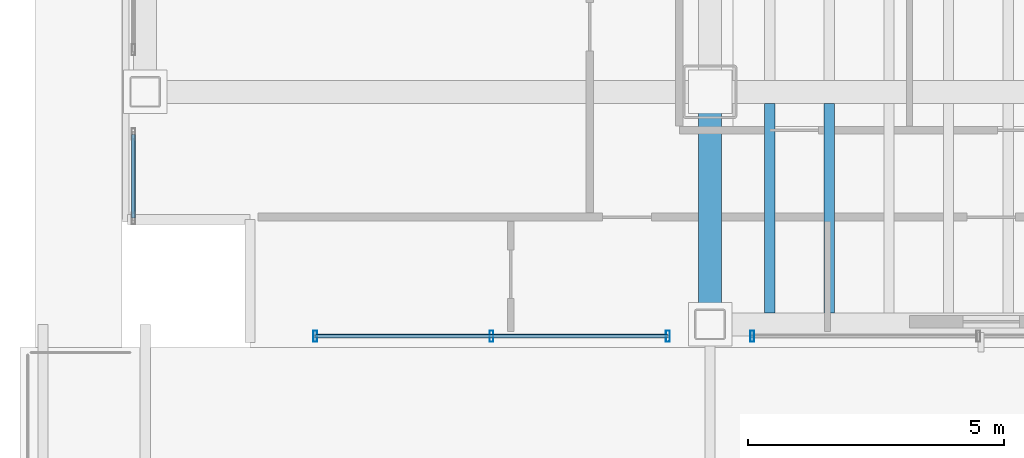
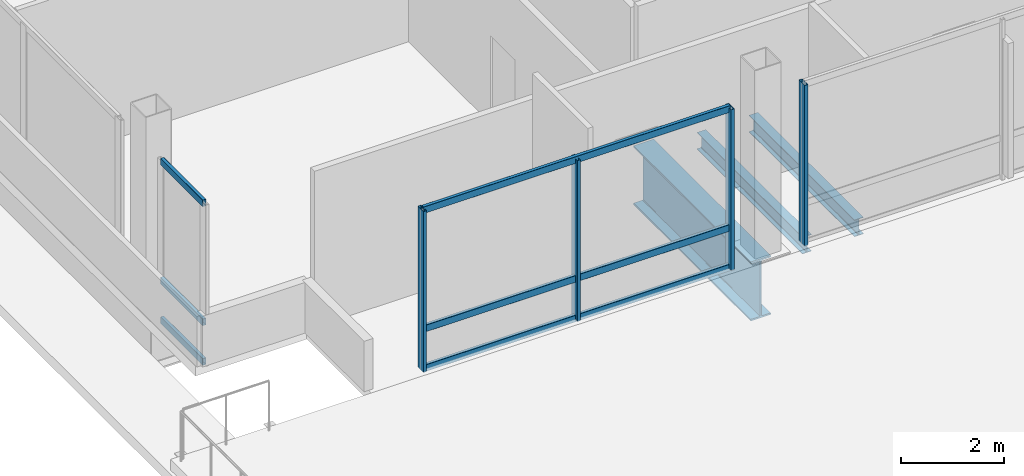
# One storey, part 5 of 34: 10 members, 3 beams, 3 elements without a shape of their own.
"""IFC4 building model written with IfcOpenShell, lengths in metres."""

import ifcopenshell
import ifcopenshell.guid

model = None  # the IFC model being written
_history = None  # IfcOwnerHistory: only IFC2X3 demands one
_inside = {}  # id of a spatial element -> (the spatial element, [elements in it])
_under = {}  # id of a project, library or spatial element -> (it, [spatial elements below it])
_declared = {}  # id of a project -> (the project, [libraries it declares])
_typed = {}  # id of a type object -> (the type object, [elements of that type])
_made_of = {}  # id of a material, layer set ... -> (it, [elements and type objects made of it])


def new_model(schema):
    """Start an empty IFC model of exactly this schema.

    Asked for "IFC4X3", IfcOpenShell would pick the latest addendum, in which some entities
    have other attributes; the version numbers below select the first issue.
    IFC2X3 requires an IfcOwnerHistory on every rooted entity: one is made here for all.
    """
    global model, _history
    if schema == "IFC4X3":
        model = ifcopenshell.file(schema_version=(4, 3, 0, 0))
    else:
        model = ifcopenshell.file(schema=schema)
    _inside.clear()
    _under.clear()
    _declared.clear()
    _typed.clear()
    _made_of.clear()
    _history = None
    if model.schema == "IFC2X3":
        org = make("IfcOrganization", Name="unknown")
        user = make(
            "IfcPersonAndOrganization",
            ThePerson=make("IfcPerson", FamilyName="unknown"),
            TheOrganization=org,
        )
        app = make(
            "IfcApplication",
            ApplicationDeveloper=org,
            Version="unknown",
            ApplicationFullName="unknown",
            ApplicationIdentifier="unknown",
        )
        _history = make(
            "IfcOwnerHistory",
            OwningUser=user,
            OwningApplication=app,
            ChangeAction="ADDED",
            CreationDate=0,
        )
    return model


def make(cls, **values):
    """One entity of the class cls with the attributes given. An attribute that is None is left unset."""
    return model.create_entity(
        cls, **{name: value for name, value in values.items() if value is not None}
    )


def rooted(cls, **values):
    """An entity with a GlobalId (a new one), such as an element, a storey or a relation."""
    return make(cls, GlobalId=ifcopenshell.guid.new(), OwnerHistory=_history, **values)


def si_unit(unit_type, name, prefix=None):
    """IfcSIUnit, for example si_unit("LENGTHUNIT", "METRE", prefix="MILLI")."""
    return make("IfcSIUnit", UnitType=unit_type, Prefix=prefix, Name=name)


def assignment(units):
    """IfcUnitAssignment: the units of a project."""
    return None if units is None else make("IfcUnitAssignment", Units=units)


def point(xyz):
    """IfcCartesianPoint."""
    return None if xyz is None else make("IfcCartesianPoint", Coordinates=xyz)


def direction(xyz):
    """IfcDirection."""
    return None if xyz is None else make("IfcDirection", DirectionRatios=xyz)


def frame(location, z_axis=None, x_axis=None):
    """IfcAxis2Placement3D, a coordinate frame: its origin and axes. An axis left out is left unset."""
    return make(
        "IfcAxis2Placement3D",
        Location=point(location),
        Axis=direction(z_axis),
        RefDirection=direction(x_axis),
    )


def frame_2d(location, x_axis=None):
    """IfcAxis2Placement2D, a coordinate frame in the plane: its origin and x axis."""
    return make(
        "IfcAxis2Placement2D", Location=point(location), RefDirection=direction(x_axis)
    )


def origin():
    """The frame at (0, 0, 0) with its axes left unset."""
    return frame((0.0, 0.0, 0.0))


def origin_2d():
    """The frame at (0, 0) in the plane with its x axis left unset."""
    return frame_2d((0.0, 0.0))


def place(relative_to, where):
    """IfcLocalPlacement: puts the frame where relative to a parent placement (None: the world)."""
    return make(
        "IfcLocalPlacement", PlacementRelTo=relative_to, RelativePlacement=where
    )


def context(
    kind, dimensions, precision=None, world=None, true_north=None, identifier=None
):
    """IfcGeometricRepresentationContext, for example the 3D "Model" context."""
    return make(
        "IfcGeometricRepresentationContext",
        ContextIdentifier=identifier,
        ContextType=kind,
        CoordinateSpaceDimension=dimensions,
        Precision=precision,
        WorldCoordinateSystem=world,
        TrueNorth=true_north,
    )


def subcontext(parent, identifier, kind, view, scale=None):
    """IfcGeometricRepresentationSubContext, for example "Body" below "Model"."""
    return make(
        "IfcGeometricRepresentationSubContext",
        ContextIdentifier=identifier,
        ContextType=kind,
        ParentContext=parent,
        TargetScale=scale,
        TargetView=view,
    )


def project(units=None, contexts=None):
    """IfcProject with its units and contexts."""
    return rooted(
        "IfcProject",
        Name="project",
        RepresentationContexts=contexts,
        UnitsInContext=assignment(units),
    )


def spatial(cls, under=None, at=None, **own):
    """A site, building, storey or space (cls), placed at a placement, below another one or the project."""
    s = rooted(cls, ObjectPlacement=at, **own)
    if under is not None:
        _under.setdefault(under.id(), (under, []))[1].append(s)
    return s


def profile(cls, at=None, kind="AREA", **sizes):
    """A parametric profile (cls). Its sizes go by their IFC names, for example OverallWidth=200.0."""
    return make(cls, ProfileType=kind, Position=at, **sizes)


def hollow_rectangle(**sizes):
    """IfcRectangleHollowProfileDef."""
    return profile("IfcRectangleHollowProfileDef", **sizes)


def i_section(**sizes):
    """IfcIShapeProfileDef."""
    return profile("IfcIShapeProfileDef", **sizes)


def extrude(swept, where, along, depth):
    """IfcExtrudedAreaSolid: the profile swept, set in the frame where, extruded along a direction by depth."""
    return make(
        "IfcExtrudedAreaSolid",
        SweptArea=swept,
        Position=where,
        ExtrudedDirection=direction(along),
        Depth=depth,
    )


def shape(context_of_items, identifier, shape_type, items):
    """IfcShapeRepresentation: the items that make up one representation, for example the "Body"."""
    return make(
        "IfcShapeRepresentation",
        ContextOfItems=context_of_items,
        RepresentationIdentifier=identifier,
        RepresentationType=shape_type,
        Items=items,
    )


def material(Name=None, Category=None):
    """IfcMaterial."""
    return make("IfcMaterial", Name=Name, Category=Category)


def material_profile(
    of_material, cross_section, Name=None, Category=None, Priority=None
):
    """IfcMaterialProfile: a cross section and its material."""
    return make(
        "IfcMaterialProfile",
        Name=Name,
        Material=of_material,
        Profile=cross_section,
        Priority=Priority,
        Category=Category,
    )


def profile_set(profiles, Name=None, composite=None):
    """IfcMaterialProfileSet."""
    return make(
        "IfcMaterialProfileSet",
        Name=Name,
        MaterialProfiles=profiles,
        CompositeProfile=composite,
    )


def made_of(thing, what):
    """Note that an element or type object is made of a material, layer set ...; save() writes the relation."""
    if what is not None:
        _made_of.setdefault(what.id(), (what, []))[1].append(thing)
    return thing


def type_object(cls, material=None, **own):
    """A type object (cls), such as IfcWallType, which elements share."""
    return made_of(rooted(cls, **own), material)


def element(
    cls,
    number,
    at=None,
    inside=None,
    cuts=None,
    type_object=None,
    material=None,
    context=None,
    identifier="Body",
    shape_type=None,
    held_by="IfcProductDefinitionShape",
    body=None,
    shapes=None,
    **own,
):
    """One element of the class cls, such as IfcWall. Its Tag is "e" and its number.

    at: its placement. inside: the storey or other place that contains it. cuts: it is an
    opening in that element (IfcRelVoidsElement). A single representation is given by context,
    identifier, shape_type and body (its items); several are given by shapes. held_by: the class
    of the entity that holds the representations. save() writes the other relations.
    """
    e = rooted(cls, Tag="e%d" % number, ObjectPlacement=at, **own)
    if body is not None:
        shapes = [shape(context, identifier, shape_type, body)]
    if shapes is not None:
        e.Representation = make(held_by, Representations=shapes)
    if inside is not None:
        _inside.setdefault(inside.id(), (inside, []))[1].append(e)
    if cuts is not None:
        rooted(
            "IfcRelVoidsElement", RelatingBuildingElement=cuts, RelatedOpeningElement=e
        )
    if type_object is not None:
        _typed.setdefault(type_object.id(), (type_object, []))[1].append(e)
    return made_of(e, material)


def aggregate(whole, parts):
    """IfcRelAggregates: a whole, such as a stair, and the parts it consists of."""
    return rooted("IfcRelAggregates", RelatingObject=whole, RelatedObjects=parts)


def save(model, path):
    """Write the relations noted so far, then the file.

    IfcRelAggregates (storeys below a building ...), IfcRelContainedInSpatialStructure (elements
    in a storey), IfcRelDefinesByType, IfcRelAssociatesMaterial and IfcRelDeclares: one each for
    every whole, place, type object, material and project.
    """
    for whole, parts in _under.values():
        aggregate(whole, parts)
    for where, things in _inside.values():
        rooted(
            "IfcRelContainedInSpatialStructure",
            RelatedElements=things,
            RelatingStructure=where,
        )
    for kind, things in _typed.values():
        rooted("IfcRelDefinesByType", RelatedObjects=things, RelatingType=kind)
    for what, things in _made_of.values():
        rooted("IfcRelAssociatesMaterial", RelatedObjects=things, RelatingMaterial=what)
    for by, libraries in _declared.values():
        rooted("IfcRelDeclares", RelatingContext=by, RelatedDefinitions=libraries)
    model.write(path)


model = new_model("IFC4")

# Units and contexts
model_context = context("Model", 3, precision=1e-05, world=origin(), true_north=direction((0.0, 1.0)))
body_context = subcontext(model_context, "Body", "Model", "MODEL_VIEW")
ifc_project = project(units=[si_unit("LENGTHUNIT", "METRE"), si_unit("AREAUNIT", "SQUARE_METRE"), si_unit("VOLUMEUNIT", "CUBIC_METRE"), si_unit("PLANEANGLEUNIT", "RADIAN"), si_unit("MASSUNIT", "GRAM", prefix="KILO")], contexts=[model_context])

# Site, building, storey
site_placement = place(None, origin())
site = spatial("IfcSite", under=ifc_project, at=site_placement, CompositionType="ELEMENT")
building_placement = place(site_placement, origin())
building = spatial("IfcBuilding", under=site, at=building_placement, Name="Noeulbin Bourse Tower", CompositionType="ELEMENT")
storey_placement = place(building_placement, frame((0.0, 0.0, 22.0)))
storey = spatial("IfcBuildingStorey", under=building, at=storey_placement, Name="L05", CompositionType="ELEMENT", Elevation=22.0)

# Beams
ifc_material_1 = material(Name="Steel S355", Category="steel")
ifc_material_profile_1 = material_profile(ifc_material_1, i_section(OverallWidth=0.199951171875, OverallDepth=0.39990234375, WebThickness=0.008056640625, FlangeThickness=0.012939453125, FilletRadius=0.01611328125, at=origin_2d()), Name="H-400x200x8x13", Category="LoadBearing")
ifc_profile_set_1 = profile_set([ifc_material_profile_1], Name="Steel S355")
beam_type_1 = type_object("IfcBeamType", Name="BM-SEC-400", PredefinedType="BEAM", material=ifc_profile_set_1)
for number, where, z_axis, x_axis, name in (
    (1, (14.666748046875, 15.675048828125, -0.43994140625), (0.0, 1.0, 0.0), (-1.0, 0.0, 0.0), "Tower Composite Joist L05-01"),
    (2, (15.833251953125, 15.675048828125, -0.43994140625), (0.0, 1.0, 0.0), (-1.0, 0.0, 0.0), "Tower Composite Joist L05-04"),
):
    element("IfcBeam", number, at=place(storey_placement, frame(where, z_axis=z_axis, x_axis=x_axis)), inside=storey, type_object=beam_type_1, Name=name, PredefinedType="BEAM", context=body_context, shape_type="SweptSolid", body=[
        extrude(i_section(OverallWidth=0.199951171875, OverallDepth=0.39990234375, WebThickness=0.008056640625, FlangeThickness=0.012939453125, FilletRadius=0.01611328125, at=origin_2d()), origin(), (0.0, 0.0, 1.0), 4.099853515625),
    ])
ifc_material_2 = material(Name="Steel S460", Category="steel")
ifc_material_profile_2 = material_profile(ifc_material_2, i_section(OverallWidth=0.449951171875, OverallDepth=1.39990234375, WebThickness=0.02392578125, FlangeThickness=0.0400390625, FilletRadius=0.02392578125, at=origin_2d()), Name="PG-1400x450x24x40", Category="LoadBearing")
ifc_profile_set_2 = profile_set([ifc_material_profile_2], Name="Steel S460")
beam_type_2 = type_object("IfcBeamType", Name="BM-TRF-1400", PredefinedType="USERDEFINED", material=ifc_profile_set_2)
beam_placement = place(storey_placement, frame((13.5, 15.449951171875, -0.93994140625), z_axis=(0.0, 1.0, 0.0), x_axis=(-1.0, 0.0, 0.0)))
element("IfcBeam", 3, at=beam_placement, inside=storey, type_object=beam_type_2, Name="Tower Primary Girder NS L05-1.1", ObjectType="GIRDER", PredefinedType="USERDEFINED", context=body_context, shape_type="SweptSolid", body=[
    extrude(i_section(OverallWidth=0.449951171875, OverallDepth=1.39990234375, WebThickness=0.02392578125, FlangeThickness=0.0400390625, FilletRadius=0.02392578125, at=origin_2d()), origin(), (0.0, 0.0, 1.0), 4.550048828125),
])

# Curtain wall, members
ifc_material_3 = material(Name="Dark Solar-Control Double Glazing", Category="glass")
curtain_wall_type = type_object("IfcCurtainWallType", Name="CW-SYS-2", PredefinedType="NOTDEFINED", material=ifc_material_3)
curtain_wall_1_placement = place(storey_placement, origin())
curtain_wall_1 = element("IfcCurtainWall", 4, at=curtain_wall_1_placement, inside=storey, type_object=curtain_wall_type, Name="Unitised Curtain Wall CW-L05-S1-S1", PredefinedType="NOTDEFINED")
ifc_material_4 = material(Name="Anodised Aluminium 6063-T6", Category="aluminium")
ifc_material_profile_3 = material_profile(ifc_material_4, hollow_rectangle(XDim=0.074951171875, YDim=0.219970703125, WallThickness=0.0048828125, InnerFilletRadius=0.00244140625, OuterFilletRadius=0.0048828125, at=origin_2d()), Name="ALU-MULL-75x220x5", Category="LoadBearing")
ifc_profile_set_3 = profile_set([ifc_material_profile_3], Name="Anodised Aluminium 6063-T6")
member_type_1 = type_object("IfcMemberType", Name="CW-SYS-2-MUL", PredefinedType="MULLION", material=ifc_profile_set_3)
member_1_placement = place(storey_placement, frame((5.77490234375, 15.219970703125, -0.02001953125), z_axis=(0.0, 0.0, 1.0), x_axis=(1.0, 0.0, 0.0)))
member_1 = element("IfcMember", 5, at=member_1_placement, type_object=member_type_1, Name="Curtain Wall Mullion CW-L05-S1-S1-M00", PredefinedType="MULLION", context=body_context, shape_type="SweptSolid", body=[
    extrude(hollow_rectangle(XDim=0.074951171875, YDim=0.219970703125, WallThickness=0.0048828125, InnerFilletRadius=0.00244140625, OuterFilletRadius=0.0048828125, at=origin_2d()), origin(), (0.0, 0.0, 1.0), 3.820068359375),
])
member_2_placement = place(storey_placement, frame((9.22509765625, 15.219970703125, -0.02001953125), z_axis=(0.0, 0.0, 1.0), x_axis=(1.0, 0.0, 0.0)))
member_2 = element("IfcMember", 6, at=member_2_placement, type_object=member_type_1, Name="Curtain Wall Mullion CW-L05-S1-S1-M01", PredefinedType="MULLION", context=body_context, shape_type="SweptSolid", body=[
    extrude(hollow_rectangle(XDim=0.074951171875, YDim=0.219970703125, WallThickness=0.0048828125, InnerFilletRadius=0.00244140625, OuterFilletRadius=0.0048828125, at=origin_2d()), origin(), (0.0, 0.0, 1.0), 3.820068359375),
])
member_3_placement = place(storey_placement, frame((12.675048828125, 15.219970703125, -0.02001953125), z_axis=(0.0, 0.0, 1.0), x_axis=(1.0, 0.0, 0.0)))
member_3 = element("IfcMember", 7, at=member_3_placement, type_object=member_type_1, Name="Curtain Wall Mullion CW-L05-S1-S1-M02", PredefinedType="MULLION", context=body_context, shape_type="SweptSolid", body=[
    extrude(hollow_rectangle(XDim=0.074951171875, YDim=0.219970703125, WallThickness=0.0048828125, InnerFilletRadius=0.00244140625, OuterFilletRadius=0.0048828125, at=origin_2d()), origin(), (0.0, 0.0, 1.0), 3.820068359375),
])

# Curtain wall, member
curtain_wall_2_placement = place(storey_placement, origin())
curtain_wall_2 = element("IfcCurtainWall", 8, at=curtain_wall_2_placement, inside=storey, type_object=curtain_wall_type, Name="Unitised Curtain Wall CW-L05-S1-S2", PredefinedType="NOTDEFINED")
member_4_placement = place(storey_placement, frame((14.324951171875, 15.219970703125, -0.02001953125), z_axis=(0.0, 0.0, 1.0), x_axis=(1.0, 0.0, 0.0)))
member_4 = element("IfcMember", 9, at=member_4_placement, type_object=member_type_1, Name="Curtain Wall Mullion CW-L05-S1-S2-M00", PredefinedType="MULLION", context=body_context, shape_type="SweptSolid", body=[
    extrude(hollow_rectangle(XDim=0.074951171875, YDim=0.219970703125, WallThickness=0.0048828125, InnerFilletRadius=0.00244140625, OuterFilletRadius=0.0048828125, at=origin_2d()), origin(), (0.0, 0.0, 1.0), 3.820068359375),
])
aggregate(curtain_wall_2, [member_4])

# Member
ifc_material_profile_4 = material_profile(ifc_material_4, hollow_rectangle(XDim=0.074951171875, YDim=0.159912109375, WallThickness=0.0048828125, InnerFilletRadius=0.00244140625, OuterFilletRadius=0.0048828125, at=origin_2d()), Name="ALU-TRAN-75x160x5", Category="LoadBearing")
ifc_profile_set_4 = profile_set([ifc_material_profile_4], Name="Anodised Aluminium 6063-T6")
member_type_2 = type_object("IfcMemberType", Name="CW-SYS-2-TRN", PredefinedType="USERDEFINED", material=ifc_profile_set_4)
member_5_placement = place(storey_placement, frame((5.784912109375, 15.219970703125, 0.010009765625), z_axis=(1.0, 0.0, 0.0), x_axis=(0.0, 1.0, 0.0)))
member_5 = element("IfcMember", 10, at=member_5_placement, type_object=member_type_2, Name="Curtain Wall Transom CW-L05-S1-S1-T00", ObjectType="TRANSOM", PredefinedType="USERDEFINED", context=body_context, shape_type="SweptSolid", body=[
    extrude(hollow_rectangle(XDim=0.074951171875, YDim=0.159912109375, WallThickness=0.0048828125, InnerFilletRadius=0.00244140625, OuterFilletRadius=0.0048828125, at=origin_2d()), origin(), (0.0, 0.0, 1.0), 6.880126953125),
])

member_6_placement = place(storey_placement, frame((5.784912109375, 15.219970703125, 0.949951171875), z_axis=(1.0, 0.0, 0.0), x_axis=(0.0, 1.0, 0.0)))
member_6 = element("IfcMember", 11, at=member_6_placement, type_object=member_type_2, Name="Curtain Wall Transom CW-L05-S1-S1-T01", ObjectType="TRANSOM", PredefinedType="USERDEFINED", context=body_context, shape_type="SweptSolid", body=[
    extrude(hollow_rectangle(XDim=0.074951171875, YDim=0.159912109375, WallThickness=0.0048828125, InnerFilletRadius=0.00244140625, OuterFilletRadius=0.0048828125, at=origin_2d()), origin(), (0.0, 0.0, 1.0), 6.880126953125),
])

member_7_placement = place(storey_placement, frame((5.784912109375, 15.219970703125, 3.77001953125), z_axis=(1.0, 0.0, 0.0), x_axis=(0.0, 1.0, 0.0)))
member_7 = element("IfcMember", 12, at=member_7_placement, type_object=member_type_2, Name="Curtain Wall Transom CW-L05-S1-S1-T02", ObjectType="TRANSOM", PredefinedType="USERDEFINED", context=body_context, shape_type="SweptSolid", body=[
    extrude(hollow_rectangle(XDim=0.074951171875, YDim=0.159912109375, WallThickness=0.0048828125, InnerFilletRadius=0.00244140625, OuterFilletRadius=0.0048828125, at=origin_2d()), origin(), (0.0, 0.0, 1.0), 6.880126953125),
])

aggregate(curtain_wall_1, [member_1, member_2, member_3, member_5, member_6, member_7])

# Curtain wall, members
curtain_wall_3_placement = place(storey_placement, origin())
curtain_wall_3 = element("IfcCurtainWall", 13, at=curtain_wall_3_placement, inside=storey, type_object=curtain_wall_type, Name="Unitised Curtain Wall CW-L05-W-S1", PredefinedType="NOTDEFINED")
member_8_placement = place(storey_placement, frame((2.219970703125, 17.530029296875, 0.010009765625), z_axis=(0.0, 1.0, 0.0), x_axis=(-1.0, 0.0, 0.0)))
member_8 = element("IfcMember", 14, at=member_8_placement, type_object=member_type_2, Name="Curtain Wall Transom CW-L05-W-S1-T00", ObjectType="TRANSOM", PredefinedType="USERDEFINED", context=body_context, shape_type="SweptSolid", body=[
    extrude(hollow_rectangle(XDim=0.074951171875, YDim=0.159912109375, WallThickness=0.0048828125, InnerFilletRadius=0.00244140625, OuterFilletRadius=0.0048828125, at=origin_2d()), origin(), (0.0, 0.0, 1.0), 1.635009765625),
])
member_9_placement = place(storey_placement, frame((2.219970703125, 17.530029296875, 0.949951171875), z_axis=(0.0, 1.0, 0.0), x_axis=(-1.0, 0.0, 0.0)))
member_9 = element("IfcMember", 15, at=member_9_placement, type_object=member_type_2, Name="Curtain Wall Transom CW-L05-W-S1-T01", ObjectType="TRANSOM", PredefinedType="USERDEFINED", context=body_context, shape_type="SweptSolid", body=[
    extrude(hollow_rectangle(XDim=0.074951171875, YDim=0.159912109375, WallThickness=0.0048828125, InnerFilletRadius=0.00244140625, OuterFilletRadius=0.0048828125, at=origin_2d()), origin(), (0.0, 0.0, 1.0), 1.635009765625),
])
member_10_placement = place(storey_placement, frame((2.219970703125, 17.530029296875, 3.77001953125), z_axis=(0.0, 1.0, 0.0), x_axis=(-1.0, 0.0, 0.0)))
member_10 = element("IfcMember", 16, at=member_10_placement, type_object=member_type_2, Name="Curtain Wall Transom CW-L05-W-S1-T02", ObjectType="TRANSOM", PredefinedType="USERDEFINED", context=body_context, shape_type="SweptSolid", body=[
    extrude(hollow_rectangle(XDim=0.074951171875, YDim=0.159912109375, WallThickness=0.0048828125, InnerFilletRadius=0.00244140625, OuterFilletRadius=0.0048828125, at=origin_2d()), origin(), (0.0, 0.0, 1.0), 1.635009765625),
])
aggregate(curtain_wall_3, [member_8, member_9, member_10])

save(model, "model.ifc")
